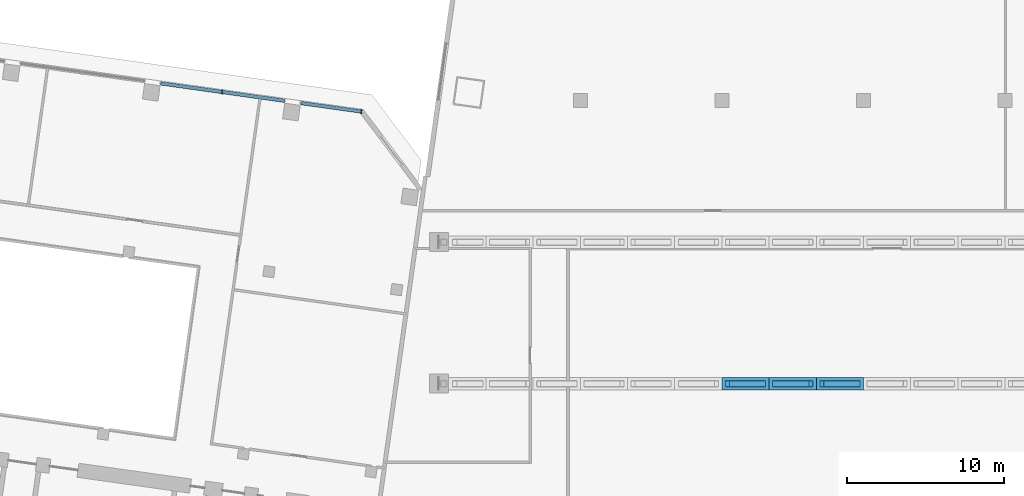
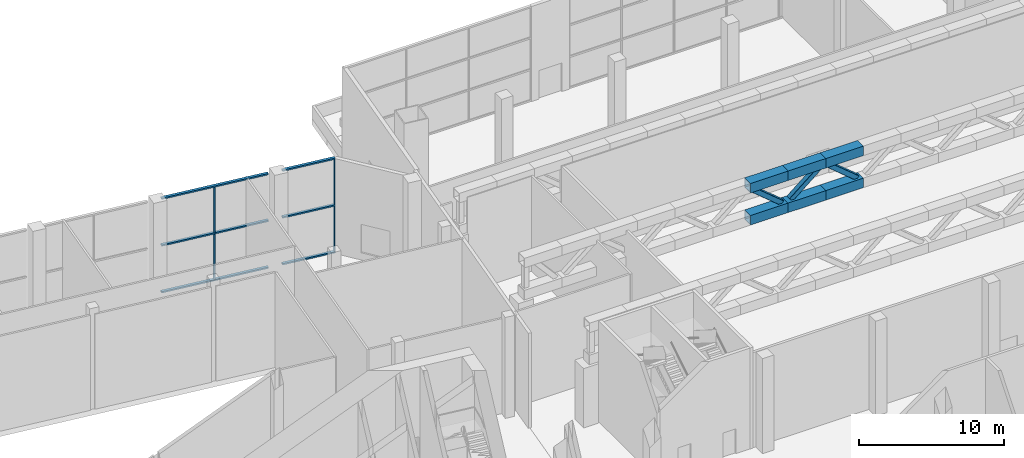
# One storey, part 5 of 31: 19 members, 1 element without a shape of its own.
"""IFC4 building model written with IfcOpenShell, lengths in metres."""

from ifc_helpers import new_model, si_unit, direction, frame, origin, origin_2d, place, context, subcontext, project, spatial, rectangle, hollow_rectangle, extrude, material, material_profile, profile_set, type_object, element, aggregate, save


model = new_model("IFC4")

# Units and contexts
model_context = context("Model", 3, precision=1e-05, world=origin(), true_north=direction((0.0, 1.0)))
body_context = subcontext(model_context, "Body", "Model", "MODEL_VIEW")
ifc_project = project(units=[si_unit("LENGTHUNIT", "METRE"), si_unit("AREAUNIT", "SQUARE_METRE"), si_unit("VOLUMEUNIT", "CUBIC_METRE"), si_unit("PLANEANGLEUNIT", "RADIAN"), si_unit("MASSUNIT", "GRAM", prefix="KILO")], contexts=[model_context])

# Site, building, storey
site_placement = place(None, origin())
site = spatial("IfcSite", under=ifc_project, at=site_placement, CompositionType="ELEMENT")
building_placement = place(site_placement, origin())
building = spatial("IfcBuilding", under=site, at=building_placement, Name="Mirante Cascada Hotel Towers", CompositionType="ELEMENT")
storey_placement = place(building_placement, frame((0.0, 0.0, 9.0)))
storey = spatial("IfcBuildingStorey", under=building, at=storey_placement, Name="L01", CompositionType="ELEMENT", Elevation=9.0)

# Curtain wall, members
ifc_material_1 = material(Name="Aluminium mullion and transom frame with clear laminated glass", Category="aluminium")
curtain_wall_type = type_object("IfcCurtainWallType", Name="Podium curtain wall ECW3", PredefinedType="NOTDEFINED", material=ifc_material_1)
curtain_wall_placement = place(storey_placement, origin())
curtain_wall = element("IfcCurtainWall", 1, at=curtain_wall_placement, inside=storey, type_object=curtain_wall_type, Name="Front podium glazing T1 L01", PredefinedType="NOTDEFINED")
ifc_material_2 = material(Name="Anodised aluminium extrusion", Category="aluminium")
ifc_material_profile_1 = material_profile(ifc_material_2, rectangle(XDim=0.26, YDim=0.08, at=origin_2d()), Name="ECW3 MULLION 80x260")
ifc_profile_set_1 = profile_set([ifc_material_profile_1], Name="Anodised aluminium extrusion")
member_type_1 = type_object("IfcMemberType", Name="ECW3 mullion 80x260", PredefinedType="MULLION", material=ifc_profile_set_1)
member_1_placement = place(storey_placement, frame((-40.7892, 18.5516, 0.12), z_axis=(0.0, 0.0, 1.0), x_axis=(0.1391731, 0.9902681, 0.0)))
member_1 = element("IfcMember", 2, at=member_1_placement, type_object=member_type_1, Name="ECW3 mullion 13", PredefinedType="MULLION", context=body_context, shape_type="SweptSolid", body=[
    extrude(rectangle(XDim=0.26, YDim=0.08, at=origin_2d()), origin(), (0.0, 0.0, 1.0), 3.82),
])
member_2_placement = place(storey_placement, frame((-40.7892, 18.5516, 4.06), z_axis=(0.0, 0.0, 1.0), x_axis=(0.1391731, 0.9902681, 0.0)))
member_2 = element("IfcMember", 3, at=member_2_placement, type_object=member_type_1, Name="ECW3 mullion 13", PredefinedType="MULLION", context=body_context, shape_type="SweptSolid", body=[
    extrude(rectangle(XDim=0.26, YDim=0.08, at=origin_2d()), origin(), (0.0, 0.0, 1.0), 3.82),
])
member_3_placement = place(storey_placement, frame((-31.9339, 17.307, 0.12), z_axis=(0.0, 0.0, 1.0), x_axis=(0.1391731, 0.9902681, 0.0)))
member_3 = element("IfcMember", 4, at=member_3_placement, type_object=member_type_1, Name="ECW3 mullion 15", PredefinedType="MULLION", context=body_context, shape_type="SweptSolid", body=[
    extrude(rectangle(XDim=0.26, YDim=0.08, at=origin_2d()), origin(), (0.0, 0.0, 1.0), 3.82),
])
member_4_placement = place(storey_placement, frame((-31.9339, 17.307, 4.06), z_axis=(0.0, 0.0, 1.0), x_axis=(0.1391731, 0.9902681, 0.0)))
member_4 = element("IfcMember", 5, at=member_4_placement, type_object=member_type_1, Name="ECW3 mullion 15", PredefinedType="MULLION", context=body_context, shape_type="SweptSolid", body=[
    extrude(rectangle(XDim=0.26, YDim=0.08, at=origin_2d()), origin(), (0.0, 0.0, 1.0), 3.82),
])
ifc_material_3 = material(Name="Anodised aluminium extrusion", Category="aluminium")
ifc_material_profile_2 = material_profile(ifc_material_3, rectangle(XDim=0.22, YDim=0.12, at=origin_2d()), Name="ECW3 TRANSOM 120x220")
ifc_profile_set_2 = profile_set([ifc_material_profile_2], Name="Anodised aluminium extrusion")
member_type_2 = type_object("IfcMemberType", Name="ECW3 transom 120x220", PredefinedType="USERDEFINED", material=ifc_profile_set_2)
member_5_placement = place(storey_placement, frame((-44.6865, 19.0993, 0.06), z_axis=(0.9902685, -0.1391698, 0.0), x_axis=(0.1391698, 0.9902685, 0.0)))
member_5 = element("IfcMember", 6, at=member_5_placement, type_object=member_type_2, Name="ECW3 sill transom", ObjectType="TRANSOM", PredefinedType="USERDEFINED", context=body_context, shape_type="SweptSolid", body=[
    extrude(rectangle(XDim=0.22, YDim=0.12, at=origin_2d()), origin(), (0.0, 0.0, 1.0), 7.9601),
])
member_6_placement = place(storey_placement, frame((-35.7741, 17.8467, 0.06), z_axis=(0.9902705, -0.1391555, 0.0), x_axis=(0.1391555, 0.9902705, 0.0)))
member_6 = element("IfcMember", 7, at=member_6_placement, type_object=member_type_2, Name="ECW3 sill transom", ObjectType="TRANSOM", PredefinedType="USERDEFINED", context=body_context, shape_type="SweptSolid", body=[
    extrude(rectangle(XDim=0.22, YDim=0.12, at=origin_2d()), origin(), (0.0, 0.0, 1.0), 3.9179),
])
member_7_placement = place(storey_placement, frame((-44.6865, 19.0993, 4.0), z_axis=(0.9902685, -0.1391698, 0.0), x_axis=(0.1391698, 0.9902685, 0.0)))
member_7 = element("IfcMember", 8, at=member_7_placement, type_object=member_type_2, Name="ECW3 intermediate transom", ObjectType="TRANSOM", PredefinedType="USERDEFINED", context=body_context, shape_type="SweptSolid", body=[
    extrude(rectangle(XDim=0.22, YDim=0.12, at=origin_2d()), origin(), (0.0, 0.0, 1.0), 7.9601),
])
member_8_placement = place(storey_placement, frame((-35.7741, 17.8467, 4.0), z_axis=(0.9902705, -0.1391555, 0.0), x_axis=(0.1391555, 0.9902705, 0.0)))
member_8 = element("IfcMember", 9, at=member_8_placement, type_object=member_type_2, Name="ECW3 intermediate transom", ObjectType="TRANSOM", PredefinedType="USERDEFINED", context=body_context, shape_type="SweptSolid", body=[
    extrude(rectangle(XDim=0.22, YDim=0.12, at=origin_2d()), origin(), (0.0, 0.0, 1.0), 3.9179),
])
member_9_placement = place(storey_placement, frame((-44.6865, 19.0993, 7.94), z_axis=(0.9902685, -0.1391698, 0.0), x_axis=(0.1391698, 0.9902685, 0.0)))
member_9 = element("IfcMember", 10, at=member_9_placement, type_object=member_type_2, Name="ECW3 head transom", ObjectType="TRANSOM", PredefinedType="USERDEFINED", context=body_context, shape_type="SweptSolid", body=[
    extrude(rectangle(XDim=0.22, YDim=0.12, at=origin_2d()), origin(), (0.0, 0.0, 1.0), 7.9601),
])
member_10_placement = place(storey_placement, frame((-35.7741, 17.8467, 7.94), z_axis=(0.9902705, -0.1391555, 0.0), x_axis=(0.1391555, 0.9902705, 0.0)))
member_10 = element("IfcMember", 11, at=member_10_placement, type_object=member_type_2, Name="ECW3 head transom", ObjectType="TRANSOM", PredefinedType="USERDEFINED", context=body_context, shape_type="SweptSolid", body=[
    extrude(rectangle(XDim=0.22, YDim=0.12, at=origin_2d()), origin(), (0.0, 0.0, 1.0), 3.9179),
])
aggregate(curtain_wall, [member_5, member_6, member_7, member_8, member_9, member_10, member_1, member_2, member_3, member_4])

# Members
ifc_material_4 = material(Name="ASTM A572 Gr 50", Category="steel")
ifc_material_profile_3 = material_profile(ifc_material_4, hollow_rectangle(XDim=0.8, YDim=0.8, WallThickness=0.05, at=origin_2d()), Name="BOX 800x800x50")
ifc_profile_set_3 = profile_set([ifc_material_profile_3], Name="ASTM A572 Gr 50")
member_type_3 = type_object("IfcMemberType", Name="Truss chord BOX 800x800x50 ASTM A572 Gr 50", PredefinedType="CHORD", material=ifc_profile_set_3)
for number, where, z_axis, x_axis, name in (
    (12, (-9.0, 0.0, 8.1), (1.0, 0.0, 0.0), (0.0, 1.0, 0.0), "Transfer truss 2"),
    (13, (-9.0, 0.0, 5.4), (1.0, 0.0, 0.0), (0.0, 1.0, 0.0), "Transfer truss 2"),
    (14, (-6.0, 0.0, 8.1), (1.0, 0.0, 0.0), (0.0, 1.0, 0.0), "Transfer truss 2"),
    (15, (-6.0, 0.0, 5.4), (1.0, 0.0, 0.0), (0.0, 1.0, 0.0), "Transfer truss 2"),
    (16, (-3.0, 0.0, 8.1), (1.0, 0.0, 0.0), (0.0, 1.0, 0.0), "Transfer truss 2"),
    (17, (-3.0, 0.0, 5.4), (1.0, 0.0, 0.0), (0.0, 1.0, 0.0), "Transfer truss 2"),
):
    element("IfcMember", number, at=place(storey_placement, frame(where, z_axis=z_axis, x_axis=x_axis)), inside=storey, type_object=member_type_3, Name=name, PredefinedType="CHORD", context=body_context, shape_type="SweptSolid", body=[
        extrude(hollow_rectangle(XDim=0.8, YDim=0.8, WallThickness=0.05, at=origin_2d()), origin(), (0.0, 0.0, 1.0), 3.0),
    ])
ifc_material_5 = material(Name="ASTM A572 Gr 50", Category="steel")
ifc_material_profile_4 = material_profile(ifc_material_5, hollow_rectangle(XDim=0.4, YDim=0.4, WallThickness=0.0159, InnerFilletRadius=0.0159, OuterFilletRadius=0.0318, at=origin_2d()), Name="HSS 400x400x16")
ifc_profile_set_4 = profile_set([ifc_material_profile_4], Name="ASTM A572 Gr 50")
member_type_4 = type_object("IfcMemberType", Name="Truss diagonal HSS 400x400x16 ASTM A572 Gr 50", PredefinedType="BRACE", material=ifc_profile_set_4)
for number, where, z_axis, x_axis, name in (
    (18, (-8.65, 0.0, 7.7), (0.7709618, 0.0, -0.6368814), (0.0, 1.0, 0.0), "Transfer truss 2"),
    (19, (-5.65, 0.0, 5.8), (0.7709618, 0.0, 0.6368814), (0.0, 1.0, 0.0), "Transfer truss 2"),
    (20, (-2.65, 0.0, 7.7), (0.7709618, 0.0, -0.6368814), (0.0, 1.0, 0.0), "Transfer truss 2"),
):
    element("IfcMember", number, at=place(storey_placement, frame(where, z_axis=z_axis, x_axis=x_axis)), inside=storey, type_object=member_type_4, Name=name, PredefinedType="BRACE", context=body_context, shape_type="SweptSolid", body=[
        extrude(hollow_rectangle(XDim=0.4, YDim=0.4, WallThickness=0.0159, InnerFilletRadius=0.0159, OuterFilletRadius=0.0318, at=origin_2d()), origin(), (0.0, 0.0, 1.0), 2.9833),
    ])

save(model, "model.ifc")
